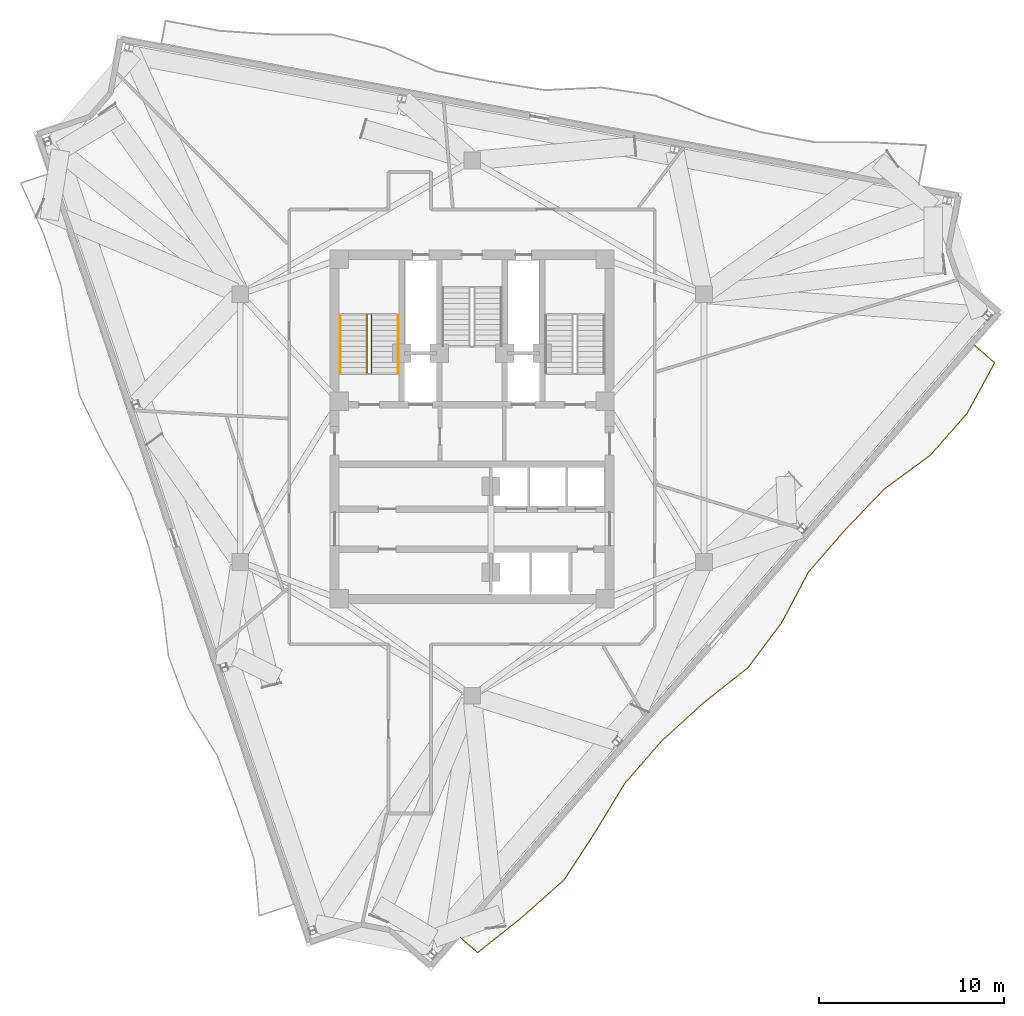
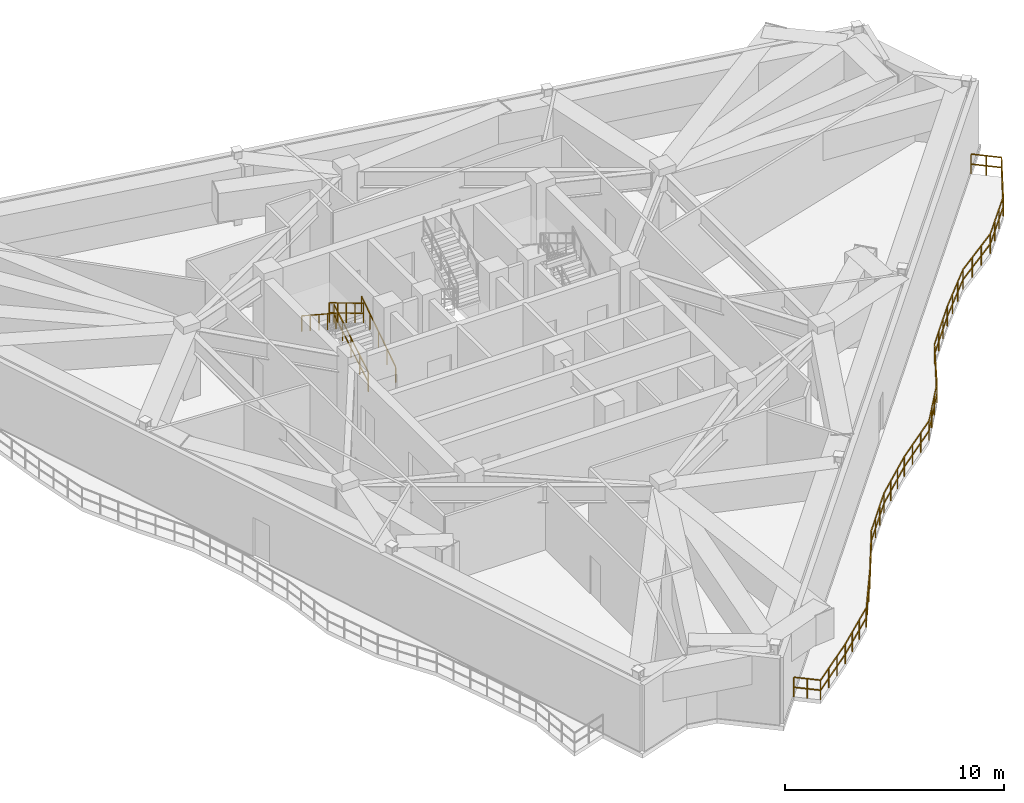
# One storey, part 9 of 10: 5 railings.
"""IFC4 building model written with IfcOpenShell, lengths in metres."""

from ifc_helpers import new_model, si_unit, direction, frame, origin, origin_2d, place, context, subcontext, project, spatial, rectangle, extrude, material, type_object, element, save


model = new_model("IFC4")

# Units and contexts
model_context = context("Model", 3, precision=1e-05, world=origin(), true_north=direction((0.0, 1.0)))
body_context = subcontext(model_context, "Body", "Model", "MODEL_VIEW")
ifc_project = project(units=[si_unit("LENGTHUNIT", "METRE"), si_unit("AREAUNIT", "SQUARE_METRE"), si_unit("VOLUMEUNIT", "CUBIC_METRE"), si_unit("PLANEANGLEUNIT", "RADIAN"), si_unit("MASSUNIT", "GRAM", prefix="KILO")], contexts=[model_context])

# Site, building, storey
site_placement = place(None, origin())
site = spatial("IfcSite", under=ifc_project, at=site_placement, CompositionType="ELEMENT")
building_placement = place(site_placement, origin())
building = spatial("IfcBuilding", under=site, at=building_placement, Name="Apsidion Concourse Tower", CompositionType="ELEMENT")
storey_placement = place(building_placement, frame((0.0, 0.0, 290.10009765625)))
storey = spatial("IfcBuildingStorey", under=building, at=storey_placement, Name="L68", CompositionType="ELEMENT", Elevation=290.10009765625)

# Railings
ifc_material = material(Name="Brushed stainless steel 316", Category="steel")
railing_type_1 = type_object("IfcRailingType", Name="RL-BAL-1120", PredefinedType="BALUSTRADE", material=ifc_material)
railing_1_placement = place(storey_placement, frame((27.2392578125, 4.47607421875, 0.0)))
element("IfcRailing", 1, at=railing_1_placement, inside=storey, type_object=railing_type_1, Name="L68 Face 2 Rippling Balcony Balustrade", PredefinedType="BALUSTRADE", context=body_context, shape_type="SweptSolid", body=[
    extrude(rectangle(XDim=0.048095703125, YDim=0.048095703125, at=origin_2d()), frame((0.0, 0.0, 1.09619140625), z_axis=(0.75476053359, -0.656000409249, 0.0), x_axis=(0.656000409249, 0.75476053359, 0.0)), (0.0, 0.0, 1.0), 1.423828125),
    extrude(rectangle(XDim=0.048095703125, YDim=0.048095703125, at=origin_2d()), frame((0.0, 0.0, 0.5361328125), z_axis=(0.75476053359, -0.656000409249, 0.0), x_axis=(0.656000409249, 0.75476053359, 0.0)), (0.0, 0.0, 1.0), 1.423828125),
    extrude(rectangle(XDim=0.048095703125, YDim=0.048095703125, at=origin_2d()), frame((1.07470703125, -0.93408203125, 1.09619140625), z_axis=(-0.477421072362, -0.878674638114, 0.0), x_axis=(0.878674638114, -0.477421072362, 0.0)), (0.0, 0.0, 1.0), 3.109130859375),
    extrude(rectangle(XDim=0.048095703125, YDim=0.048095703125, at=origin_2d()), frame((1.07470703125, -0.93408203125, 0.5361328125), z_axis=(-0.477421072362, -0.878674638114, 0.0), x_axis=(0.878674638114, -0.477421072362, 0.0)), (0.0, 0.0, 1.0), 3.109130859375),
    extrude(rectangle(XDim=0.048095703125, YDim=0.048095703125, at=origin_2d()), frame((-0.40966796875, -3.666015625, 1.09619140625), z_axis=(-0.66007472605, -0.751199944109, 0.0), x_axis=(0.751199944109, -0.66007472605, 0.0)), (0.0, 0.0, 1.0), 3.035400390625),
    extrude(rectangle(XDim=0.048095703125, YDim=0.048095703125, at=origin_2d()), frame((-0.40966796875, -3.666015625, 0.5361328125), z_axis=(-0.66007472605, -0.751199944109, 0.0), x_axis=(0.751199944109, -0.66007472605, 0.0)), (0.0, 0.0, 1.0), 3.035400390625),
    extrude(rectangle(XDim=0.048095703125, YDim=0.048095703125, at=origin_2d()), frame((-2.413330078125, -5.9462890625, 1.09619140625), z_axis=(-0.805883340956, -0.592074354089, 0.0), x_axis=(0.592074354089, -0.805883340956, 0.0)), (0.0, 0.0, 1.0), 3.111572265625),
    extrude(rectangle(XDim=0.048095703125, YDim=0.048095703125, at=origin_2d()), frame((-2.413330078125, -5.9462890625, 0.5361328125), z_axis=(-0.805883340956, -0.592074354089, 0.0), x_axis=(0.592074354089, -0.805883340956, 0.0)), (0.0, 0.0, 1.0), 3.111572265625),
    extrude(rectangle(XDim=0.048095703125, YDim=0.048095703125, at=origin_2d()), frame((-4.9208984375, -7.78857421875, 1.09619140625), z_axis=(-0.69151442459, -0.722362651709, 0.0), x_axis=(0.722362651709, -0.69151442459, 0.0)), (0.0, 0.0, 1.0), 3.0390625),
    extrude(rectangle(XDim=0.048095703125, YDim=0.048095703125, at=origin_2d()), frame((-4.9208984375, -7.78857421875, 0.5361328125), z_axis=(-0.69151442459, -0.722362651709, 0.0), x_axis=(0.722362651709, -0.69151442459, 0.0)), (0.0, 0.0, 1.0), 3.0390625),
    extrude(rectangle(XDim=0.048095703125, YDim=0.048095703125, at=origin_2d()), frame((-7.0224609375, -9.98388671875, 1.09619140625), z_axis=(-0.656087120153, -0.754685160029, 0.0), x_axis=(0.754685160029, -0.656087120153, 0.0)), (0.0, 0.0, 1.0), 3.03564453125),
    extrude(rectangle(XDim=0.048095703125, YDim=0.048095703125, at=origin_2d()), frame((-7.0224609375, -9.98388671875, 0.5361328125), z_axis=(-0.656087120153, -0.754685160029, 0.0), x_axis=(0.754685160029, -0.656087120153, 0.0)), (0.0, 0.0, 1.0), 3.03564453125),
    extrude(rectangle(XDim=0.048095703125, YDim=0.048095703125, at=origin_2d()), frame((-9.01416015625, -12.27490234375, 1.09619140625), z_axis=(-0.468118084473, -0.883665920464, 0.0), x_axis=(0.883665920464, -0.468118084473, 0.0)), (0.0, 0.0, 1.0), 3.1162109375),
    extrude(rectangle(XDim=0.048095703125, YDim=0.048095703125, at=origin_2d()), frame((-9.01416015625, -12.27490234375, 0.5361328125), z_axis=(-0.468118084473, -0.883665920464, 0.0), x_axis=(0.883665920464, -0.468118084473, 0.0)), (0.0, 0.0, 1.0), 3.1162109375),
    extrude(rectangle(XDim=0.048095703125, YDim=0.048095703125, at=origin_2d()), frame((-10.472900390625, -15.028564453125, 1.09619140625), z_axis=(-0.600744152812, -0.799441344228, 0.0), x_axis=(0.799441344228, -0.600744152812, 0.0)), (0.0, 0.0, 1.0), 3.04345703125),
    extrude(rectangle(XDim=0.048095703125, YDim=0.048095703125, at=origin_2d()), frame((-10.472900390625, -15.028564453125, 0.5361328125), z_axis=(-0.600744152812, -0.799441344228, 0.0), x_axis=(0.799441344228, -0.600744152812, 0.0)), (0.0, 0.0, 1.0), 3.04345703125),
    extrude(rectangle(XDim=0.048095703125, YDim=0.048095703125, at=origin_2d()), frame((-12.30126953125, -17.461669921875, 1.09619140625), z_axis=(-0.783591910688, -0.62127587874, 0.0), x_axis=(0.62127587874, -0.783591910688, 0.0)), (0.0, 0.0, 1.0), 3.087890625),
    extrude(rectangle(XDim=0.048095703125, YDim=0.048095703125, at=origin_2d()), frame((-12.30126953125, -17.461669921875, 0.5361328125), z_axis=(-0.783591910688, -0.62127587874, 0.0), x_axis=(0.62127587874, -0.783591910688, 0.0)), (0.0, 0.0, 1.0), 3.087890625),
    extrude(rectangle(XDim=0.048095703125, YDim=0.048095703125, at=origin_2d()), frame((-14.720947265625, -19.380126953125, 1.09619140625), z_axis=(-0.739176893803, -0.673511335961, 0.0), x_axis=(0.673511335961, -0.739176893803, 0.0)), (0.0, 0.0, 1.0), 3.05615234375),
    extrude(rectangle(XDim=0.048095703125, YDim=0.048095703125, at=origin_2d()), frame((-14.720947265625, -19.380126953125, 0.5361328125), z_axis=(-0.739176893803, -0.673511335961, 0.0), x_axis=(0.673511335961, -0.739176893803, 0.0)), (0.0, 0.0, 1.0), 3.05615234375),
    extrude(rectangle(XDim=0.048095703125, YDim=0.048095703125, at=origin_2d()), frame((-16.97998046875, -21.4384765625, 1.09619140625), z_axis=(-0.656041311893, -0.754724981096, 0.0), x_axis=(0.754724981096, -0.656041311893, 0.0)), (0.0, 0.0, 1.0), 3.03564453125),
    extrude(rectangle(XDim=0.048095703125, YDim=0.048095703125, at=origin_2d()), frame((-16.97998046875, -21.4384765625, 0.5361328125), z_axis=(-0.656041311893, -0.754724981096, 0.0), x_axis=(0.754724981096, -0.656041311893, 0.0)), (0.0, 0.0, 1.0), 3.03564453125),
    extrude(rectangle(XDim=0.048095703125, YDim=0.048095703125, at=origin_2d()), frame((-18.971435546875, -23.7294921875, 1.09619140625), z_axis=(-0.518278880185, -0.855211671081, 0.0), x_axis=(0.855211671081, -0.518278880185, 0.0)), (0.0, 0.0, 1.0), 3.080322265625),
    extrude(rectangle(XDim=0.048095703125, YDim=0.048095703125, at=origin_2d()), frame((-18.971435546875, -23.7294921875, 0.5361328125), z_axis=(-0.518278880185, -0.855211671081, 0.0), x_axis=(0.855211671081, -0.518278880185, 0.0)), (0.0, 0.0, 1.0), 3.080322265625),
    extrude(rectangle(XDim=0.048095703125, YDim=0.048095703125, at=origin_2d()), frame((-20.56787109375, -26.36376953125, 1.09619140625), z_axis=(-0.544680378494, -0.838643717728, 0.0), x_axis=(0.838643717728, -0.544680378494, 0.0)), (0.0, 0.0, 1.0), 3.0654296875),
    extrude(rectangle(XDim=0.048095703125, YDim=0.048095703125, at=origin_2d()), frame((-20.56787109375, -26.36376953125, 0.5361328125), z_axis=(-0.544680378494, -0.838643717728, 0.0), x_axis=(0.838643717728, -0.544680378494, 0.0)), (0.0, 0.0, 1.0), 3.0654296875),
    extrude(rectangle(XDim=0.048095703125, YDim=0.048095703125, at=origin_2d()), frame((-22.237548828125, -28.9345703125, 1.09619140625), z_axis=(-0.747479727907, -0.664284619999, 0.0), x_axis=(0.664284619999, -0.747479727907, 0.0)), (0.0, 0.0, 1.0), 3.060791015625),
    extrude(rectangle(XDim=0.048095703125, YDim=0.048095703125, at=origin_2d()), frame((-22.237548828125, -28.9345703125, 0.5361328125), z_axis=(-0.747479727907, -0.664284619999, 0.0), x_axis=(0.664284619999, -0.747479727907, 0.0)), (0.0, 0.0, 1.0), 3.060791015625),
    extrude(rectangle(XDim=0.048095703125, YDim=0.048095703125, at=origin_2d()), frame((-24.525390625, -30.9677734375, 1.09619140625), z_axis=(-0.781493553103, -0.623913316462, 0.0), x_axis=(0.623913316462, -0.781493553103, 0.0)), (0.0, 0.0, 1.0), 3.086181640625),
    extrude(rectangle(XDim=0.048095703125, YDim=0.048095703125, at=origin_2d()), frame((-24.525390625, -30.9677734375, 0.5361328125), z_axis=(-0.781493553103, -0.623913316462, 0.0), x_axis=(0.623913316462, -0.781493553103, 0.0)), (0.0, 0.0, 1.0), 3.086181640625),
    extrude(rectangle(XDim=0.048095703125, YDim=0.048095703125, at=origin_2d()), frame((-26.937255859375, -32.893310546875, 1.09619140625), z_axis=(-0.754786276377, 0.655970789741, 0.0), x_axis=(-0.655970789741, -0.754786276377, 0.0)), (0.0, 0.0, 1.0), 1.250244140625),
    extrude(rectangle(XDim=0.048095703125, YDim=0.048095703125, at=origin_2d()), frame((-26.937255859375, -32.893310546875, 0.5361328125), z_axis=(-0.754786276377, 0.655970789741, 0.0), x_axis=(-0.655970789741, -0.754786276377, 0.0)), (0.0, 0.0, 1.0), 1.250244140625),
    extrude(rectangle(XDim=0.0419921875, YDim=0.0419921875, at=origin_2d()), origin(), (0.0, 0.0, 1.0), 1.072021484375),
    extrude(rectangle(XDim=0.0419921875, YDim=0.0419921875, at=origin_2d()), frame((0.537353515625, -0.467041015625, 0.0)), (0.0, 0.0, 1.0), 1.072021484375),
    extrude(rectangle(XDim=0.0419921875, YDim=0.0419921875, at=origin_2d()), frame((1.07470703125, -0.93408203125, 0.0)), (0.0, 0.0, 1.0), 1.072021484375),
    extrude(rectangle(XDim=0.0419921875, YDim=0.0419921875, at=origin_2d()), frame((0.579833984375, -1.8447265625, 0.0)), (0.0, 0.0, 1.0), 1.072021484375),
    extrude(rectangle(XDim=0.0419921875, YDim=0.0419921875, at=origin_2d()), frame((0.085205078125, -2.75537109375, 0.0)), (0.0, 0.0, 1.0), 1.072021484375),
    extrude(rectangle(XDim=0.0419921875, YDim=0.0419921875, at=origin_2d()), frame((-0.40966796875, -3.666015625, 0.0)), (0.0, 0.0, 1.0), 1.072021484375),
    extrude(rectangle(XDim=0.0419921875, YDim=0.0419921875, at=origin_2d()), frame((-1.07763671875, -4.426025390625, 0.0)), (0.0, 0.0, 1.0), 1.072021484375),
    extrude(rectangle(XDim=0.0419921875, YDim=0.0419921875, at=origin_2d()), frame((-1.745361328125, -5.186279296875, 0.0)), (0.0, 0.0, 1.0), 1.072021484375),
    extrude(rectangle(XDim=0.0419921875, YDim=0.0419921875, at=origin_2d()), frame((-2.413330078125, -5.9462890625, 0.0)), (0.0, 0.0, 1.0), 1.072021484375),
    extrude(rectangle(XDim=0.0419921875, YDim=0.0419921875, at=origin_2d()), frame((-3.249267578125, -6.560302734375, 0.0)), (0.0, 0.0, 1.0), 1.072021484375),
    extrude(rectangle(XDim=0.0419921875, YDim=0.0419921875, at=origin_2d()), frame((-4.0849609375, -7.174560546875, 0.0)), (0.0, 0.0, 1.0), 1.072021484375),
    extrude(rectangle(XDim=0.0419921875, YDim=0.0419921875, at=origin_2d()), frame((-4.9208984375, -7.78857421875, 0.0)), (0.0, 0.0, 1.0), 1.072021484375),
    extrude(rectangle(XDim=0.0419921875, YDim=0.0419921875, at=origin_2d()), frame((-5.621337890625, -8.520263671875, 0.0)), (0.0, 0.0, 1.0), 1.072021484375),
    extrude(rectangle(XDim=0.0419921875, YDim=0.0419921875, at=origin_2d()), frame((-6.322021484375, -9.252197265625, 0.0)), (0.0, 0.0, 1.0), 1.072021484375),
    extrude(rectangle(XDim=0.0419921875, YDim=0.0419921875, at=origin_2d()), frame((-7.0224609375, -9.98388671875, 0.0)), (0.0, 0.0, 1.0), 1.072021484375),
    extrude(rectangle(XDim=0.0419921875, YDim=0.0419921875, at=origin_2d()), frame((-7.686279296875, -10.74755859375, 0.0)), (0.0, 0.0, 1.0), 1.072021484375),
    extrude(rectangle(XDim=0.0419921875, YDim=0.0419921875, at=origin_2d()), frame((-8.350341796875, -11.51123046875, 0.0)), (0.0, 0.0, 1.0), 1.072021484375),
    extrude(rectangle(XDim=0.0419921875, YDim=0.0419921875, at=origin_2d()), frame((-9.01416015625, -12.27490234375, 0.0)), (0.0, 0.0, 1.0), 1.072021484375),
    extrude(rectangle(XDim=0.0419921875, YDim=0.0419921875, at=origin_2d()), frame((-9.50048828125, -13.19287109375, 0.0)), (0.0, 0.0, 1.0), 1.072021484375),
    extrude(rectangle(XDim=0.0419921875, YDim=0.0419921875, at=origin_2d()), frame((-9.986572265625, -14.110595703125, 0.0)), (0.0, 0.0, 1.0), 1.072021484375),
    extrude(rectangle(XDim=0.0419921875, YDim=0.0419921875, at=origin_2d()), frame((-10.472900390625, -15.028564453125, 0.0)), (0.0, 0.0, 1.0), 1.072021484375),
    extrude(rectangle(XDim=0.0419921875, YDim=0.0419921875, at=origin_2d()), frame((-11.082275390625, -15.839599609375, 0.0)), (0.0, 0.0, 1.0), 1.072021484375),
    extrude(rectangle(XDim=0.0419921875, YDim=0.0419921875, at=origin_2d()), frame((-11.69189453125, -16.650634765625, 0.0)), (0.0, 0.0, 1.0), 1.072021484375),
    extrude(rectangle(XDim=0.0419921875, YDim=0.0419921875, at=origin_2d()), frame((-12.30126953125, -17.461669921875, 0.0)), (0.0, 0.0, 1.0), 1.072021484375),
    extrude(rectangle(XDim=0.0419921875, YDim=0.0419921875, at=origin_2d()), frame((-13.10791015625, -18.10107421875, 0.0)), (0.0, 0.0, 1.0), 1.072021484375),
    extrude(rectangle(XDim=0.0419921875, YDim=0.0419921875, at=origin_2d()), frame((-13.914306640625, -18.74072265625, 0.0)), (0.0, 0.0, 1.0), 1.072021484375),
    extrude(rectangle(XDim=0.0419921875, YDim=0.0419921875, at=origin_2d()), frame((-14.720947265625, -19.380126953125, 0.0)), (0.0, 0.0, 1.0), 1.072021484375),
    extrude(rectangle(XDim=0.0419921875, YDim=0.0419921875, at=origin_2d()), frame((-15.473876953125, -20.066162109375, 0.0)), (0.0, 0.0, 1.0), 1.072021484375),
    extrude(rectangle(XDim=0.0419921875, YDim=0.0419921875, at=origin_2d()), frame((-16.22705078125, -20.75244140625, 0.0)), (0.0, 0.0, 1.0), 1.072021484375),
    extrude(rectangle(XDim=0.0419921875, YDim=0.0419921875, at=origin_2d()), frame((-16.97998046875, -21.4384765625, 0.0)), (0.0, 0.0, 1.0), 1.072021484375),
    extrude(rectangle(XDim=0.0419921875, YDim=0.0419921875, at=origin_2d()), frame((-17.643798828125, -22.2021484375, 0.0)), (0.0, 0.0, 1.0), 1.072021484375),
    extrude(rectangle(XDim=0.0419921875, YDim=0.0419921875, at=origin_2d()), frame((-18.3076171875, -22.9658203125, 0.0)), (0.0, 0.0, 1.0), 1.072021484375),
    extrude(rectangle(XDim=0.0419921875, YDim=0.0419921875, at=origin_2d()), frame((-18.971435546875, -23.7294921875, 0.0)), (0.0, 0.0, 1.0), 1.072021484375),
    extrude(rectangle(XDim=0.0419921875, YDim=0.0419921875, at=origin_2d()), frame((-19.503662109375, -24.607666015625, 0.0)), (0.0, 0.0, 1.0), 1.072021484375),
    extrude(rectangle(XDim=0.0419921875, YDim=0.0419921875, at=origin_2d()), frame((-20.03564453125, -25.485595703125, 0.0)), (0.0, 0.0, 1.0), 1.072021484375),
    extrude(rectangle(XDim=0.0419921875, YDim=0.0419921875, at=origin_2d()), frame((-20.56787109375, -26.36376953125, 0.0)), (0.0, 0.0, 1.0), 1.072021484375),
    extrude(rectangle(XDim=0.0419921875, YDim=0.0419921875, at=origin_2d()), frame((-21.12451171875, -27.220703125, 0.0)), (0.0, 0.0, 1.0), 1.072021484375),
    extrude(rectangle(XDim=0.0419921875, YDim=0.0419921875, at=origin_2d()), frame((-21.680908203125, -28.07763671875, 0.0)), (0.0, 0.0, 1.0), 1.072021484375),
    extrude(rectangle(XDim=0.0419921875, YDim=0.0419921875, at=origin_2d()), frame((-22.237548828125, -28.9345703125, 0.0)), (0.0, 0.0, 1.0), 1.072021484375),
    extrude(rectangle(XDim=0.0419921875, YDim=0.0419921875, at=origin_2d()), frame((-23.000244140625, -29.6123046875, 0.0)), (0.0, 0.0, 1.0), 1.072021484375),
    extrude(rectangle(XDim=0.0419921875, YDim=0.0419921875, at=origin_2d()), frame((-23.7626953125, -30.2900390625, 0.0)), (0.0, 0.0, 1.0), 1.072021484375),
    extrude(rectangle(XDim=0.0419921875, YDim=0.0419921875, at=origin_2d()), frame((-24.525390625, -30.9677734375, 0.0)), (0.0, 0.0, 1.0), 1.072021484375),
    extrude(rectangle(XDim=0.0419921875, YDim=0.0419921875, at=origin_2d()), frame((-25.329345703125, -31.609619140625, 0.0)), (0.0, 0.0, 1.0), 1.072021484375),
    extrude(rectangle(XDim=0.0419921875, YDim=0.0419921875, at=origin_2d()), frame((-26.13330078125, -32.25146484375, 0.0)), (0.0, 0.0, 1.0), 1.072021484375),
    extrude(rectangle(XDim=0.0419921875, YDim=0.0419921875, at=origin_2d()), frame((-26.937255859375, -32.893310546875, 0.0)), (0.0, 0.0, 1.0), 1.072021484375),
    extrude(rectangle(XDim=0.0419921875, YDim=0.0419921875, at=origin_2d()), frame((-27.4091796875, -32.4833984375, 0.0)), (0.0, 0.0, 1.0), 1.072021484375),
    extrude(rectangle(XDim=0.0419921875, YDim=0.0419921875, at=origin_2d()), frame((-27.880859375, -32.0732421875, 0.0)), (0.0, 0.0, 1.0), 1.072021484375),
])
railing_type_2 = type_object("IfcRailingType", Name="RL-GUARD-1100", PredefinedType="GUARDRAIL", material=ifc_material)
railing_2_placement = place(storey_placement, frame((-5.449951171875, 3.0, 0.170654296875)))
element("IfcRailing", 2, at=railing_2_placement, inside=storey, type_object=railing_type_2, Name="L68 ST1 stair guard 1", PredefinedType="GUARDRAIL", context=body_context, shape_type="SweptSolid", body=[
    extrude(rectangle(XDim=0.048095703125, YDim=0.048095703125, at=origin_2d()), frame((0.0, 0.0, 1.09619140625), z_axis=(0.0, 0.857716804754, 0.514122439544), x_axis=(-1.0, 0.0, 0.0)), (0.0, 0.0, 1.0), 3.655029296875),
    extrude(rectangle(XDim=0.048095703125, YDim=0.048095703125, at=origin_2d()), frame((0.0, 0.0, 0.5361328125), z_axis=(0.0, 0.857716804754, 0.514122439544), x_axis=(-1.0, 0.0, 0.0)), (0.0, 0.0, 1.0), 3.655029296875),
    extrude(rectangle(XDim=0.0419921875, YDim=0.0419921875, at=origin_2d()), origin(), (0.0, 0.0, 1.0), 1.072021484375),
    extrude(rectangle(XDim=0.0419921875, YDim=0.0419921875, at=origin_2d()), frame((0.0, 0.78369140625, 0.4697265625)), (0.0, 0.0, 1.0), 1.072021484375),
    extrude(rectangle(XDim=0.0419921875, YDim=0.0419921875, at=origin_2d()), frame((0.0, 1.5673828125, 0.939453125)), (0.0, 0.0, 1.0), 1.072021484375),
    extrude(rectangle(XDim=0.0419921875, YDim=0.0419921875, at=origin_2d()), frame((0.0, 2.351318359375, 1.409423828125)), (0.0, 0.0, 1.0), 1.072021484375),
    extrude(rectangle(XDim=0.0419921875, YDim=0.0419921875, at=origin_2d()), frame((0.0, 3.135009765625, 1.879150390625)), (0.0, 0.0, 1.0), 1.072021484375),
])
railing_3_placement = place(storey_placement, frame((-5.699951171875, 6.135009765625, 2.220703125)))
element("IfcRailing", 3, at=railing_3_placement, inside=storey, type_object=railing_type_2, Name="L68 ST1 stair guard 3", PredefinedType="GUARDRAIL", context=body_context, shape_type="SweptSolid", body=[
    extrude(rectangle(XDim=0.048095703125, YDim=0.048095703125, at=origin_2d()), frame((0.0, 0.0, 1.09619140625), z_axis=(0.0, -0.857716804754, 0.514122439544), x_axis=(1.0, 0.0, 0.0)), (0.0, 0.0, 1.0), 3.655029296875),
    extrude(rectangle(XDim=0.048095703125, YDim=0.048095703125, at=origin_2d()), frame((0.0, 0.0, 0.5361328125), z_axis=(0.0, -0.857716804754, 0.514122439544), x_axis=(1.0, 0.0, 0.0)), (0.0, 0.0, 1.0), 3.655029296875),
    extrude(rectangle(XDim=0.0419921875, YDim=0.0419921875, at=origin_2d()), origin(), (0.0, 0.0, 1.0), 1.072021484375),
    extrude(rectangle(XDim=0.0419921875, YDim=0.0419921875, at=origin_2d()), frame((0.0, -0.78369140625, 0.4697265625)), (0.0, 0.0, 1.0), 1.072021484375),
    extrude(rectangle(XDim=0.0419921875, YDim=0.0419921875, at=origin_2d()), frame((0.0, -1.5673828125, 0.939453125)), (0.0, 0.0, 1.0), 1.072021484375),
    extrude(rectangle(XDim=0.0419921875, YDim=0.0419921875, at=origin_2d()), frame((0.0, -2.351318359375, 1.409423828125)), (0.0, 0.0, 1.0), 1.072021484375),
    extrude(rectangle(XDim=0.0419921875, YDim=0.0419921875, at=origin_2d()), frame((0.0, -3.135009765625, 1.879150390625)), (0.0, 0.0, 1.0), 1.072021484375),
])
railing_type_3 = type_object("IfcRailingType", Name="RL-HAND-900", PredefinedType="HANDRAIL", material=ifc_material)
railing_4_placement = place(storey_placement, frame((-4.0, 3.0, 0.170654296875)))
element("IfcRailing", 4, at=railing_4_placement, inside=storey, type_object=railing_type_3, Name="L68 ST1 stair handrail 1", PredefinedType="HANDRAIL", context=body_context, shape_type="SweptSolid", body=[
    extrude(rectangle(XDim=0.048095703125, YDim=0.048095703125, at=origin_2d()), frame((0.0, 0.0, 0.8759765625), z_axis=(0.0, 0.836940907821, 0.547293263996), x_axis=(-1.0, 0.0, 0.0)), (0.0, 0.0, 1.0), 3.745849609375),
    extrude(rectangle(XDim=0.0419921875, YDim=0.0419921875, at=origin_2d()), origin(), (0.0, 0.0, 1.0), 0.851806640625),
    extrude(rectangle(XDim=0.0419921875, YDim=0.0419921875, at=origin_2d()), frame((0.0, 0.78369140625, 0.512451171875)), (0.0, 0.0, 1.0), 0.851806640625),
    extrude(rectangle(XDim=0.0419921875, YDim=0.0419921875, at=origin_2d()), frame((0.0, 1.5673828125, 1.02490234375)), (0.0, 0.0, 1.0), 0.851806640625),
    extrude(rectangle(XDim=0.0419921875, YDim=0.0419921875, at=origin_2d()), frame((0.0, 2.351318359375, 1.53759765625)), (0.0, 0.0, 1.0), 0.851806640625),
    extrude(rectangle(XDim=0.0419921875, YDim=0.0419921875, at=origin_2d()), frame((0.0, 3.135009765625, 2.050048828125)), (0.0, 0.0, 1.0), 0.851806640625),
])
railing_5_placement = place(storey_placement, frame((-7.14990234375, 6.135009765625, 2.220703125)))
element("IfcRailing", 5, at=railing_5_placement, inside=storey, type_object=railing_type_3, Name="L68 ST1 stair handrail 2", PredefinedType="HANDRAIL", context=body_context, shape_type="SweptSolid", body=[
    extrude(rectangle(XDim=0.048095703125, YDim=0.048095703125, at=origin_2d()), frame((0.0, 0.0, 0.8759765625), z_axis=(0.0, -0.836940907821, 0.547293263996), x_axis=(1.0, 0.0, 0.0)), (0.0, 0.0, 1.0), 3.745849609375),
    extrude(rectangle(XDim=0.0419921875, YDim=0.0419921875, at=origin_2d()), origin(), (0.0, 0.0, 1.0), 0.851806640625),
    extrude(rectangle(XDim=0.0419921875, YDim=0.0419921875, at=origin_2d()), frame((0.0, -0.78369140625, 0.512451171875)), (0.0, 0.0, 1.0), 0.851806640625),
    extrude(rectangle(XDim=0.0419921875, YDim=0.0419921875, at=origin_2d()), frame((0.0, -1.5673828125, 1.02490234375)), (0.0, 0.0, 1.0), 0.851806640625),
    extrude(rectangle(XDim=0.0419921875, YDim=0.0419921875, at=origin_2d()), frame((0.0, -2.351318359375, 1.53759765625)), (0.0, 0.0, 1.0), 0.851806640625),
    extrude(rectangle(XDim=0.0419921875, YDim=0.0419921875, at=origin_2d()), frame((0.0, -3.135009765625, 2.050048828125)), (0.0, 0.0, 1.0), 0.851806640625),
])

save(model, "model.ifc")
